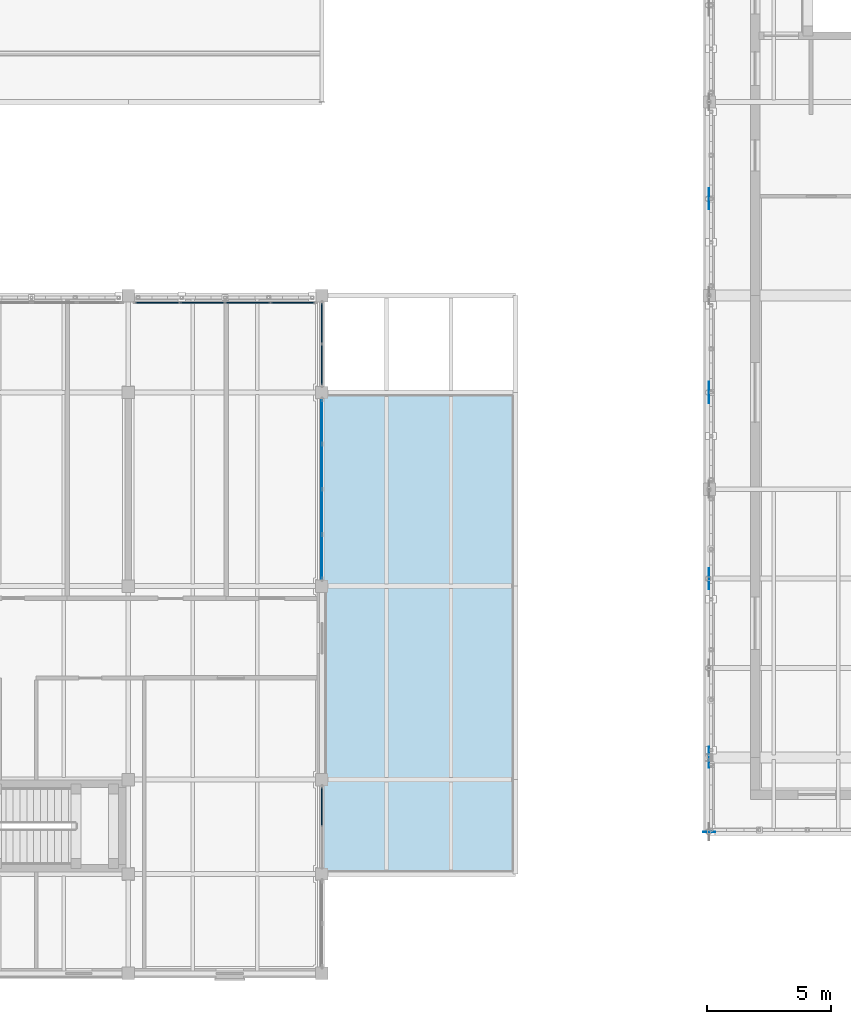
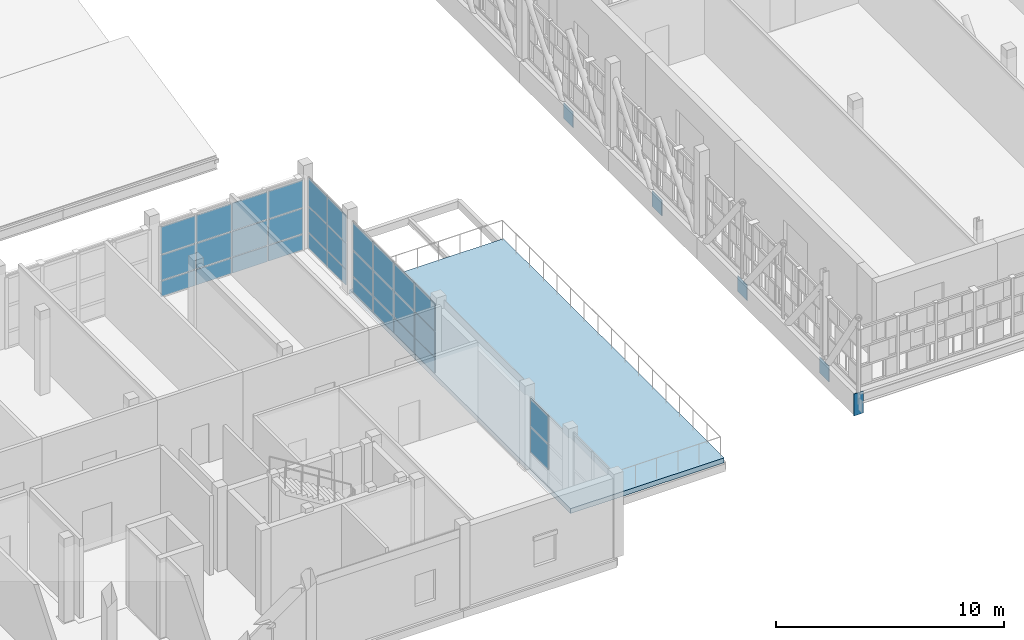
# One storey, part 45 of 89: 37 plates, 1 slab, 4 elements without a shape of their own.
"""IFC4 building model written with IfcOpenShell, lengths in metres."""

from ifc_helpers import new_model, si_unit, direction, frame, origin, origin_2d, place, context, subcontext, project, spatial, polyline, rectangle, outline, extrude, material, layer, layer_set, type_object, element, aggregate, save


model = new_model("IFC4")

# Units and contexts
model_context = context("Model", 3, precision=1e-05, world=origin(), true_north=direction((0.0, 1.0)))
body_context = subcontext(model_context, "Body", "Model", "MODEL_VIEW")
ifc_project = project(units=[si_unit("LENGTHUNIT", "METRE"), si_unit("AREAUNIT", "SQUARE_METRE"), si_unit("VOLUMEUNIT", "CUBIC_METRE"), si_unit("PLANEANGLEUNIT", "RADIAN"), si_unit("MASSUNIT", "GRAM", prefix="KILO")], contexts=[model_context])

# Site, building, storey
site_placement = place(None, origin())
site = spatial("IfcSite", under=ifc_project, at=site_placement, CompositionType="ELEMENT")
building_placement = place(site_placement, origin())
building = spatial("IfcBuilding", under=site, at=building_placement, Name="Celorna Specialist Clinic", CompositionType="ELEMENT")
storey_placement = place(building_placement, frame((0.0, 0.0, 14.10009765625)))
storey = spatial("IfcBuildingStorey", under=building, at=storey_placement, Name="L03", CompositionType="ELEMENT", Elevation=14.10009765625)

# Curtain wall, plates
ifc_material_1 = material(Name="Thermally broken aluminium and solar-control glass curtain wall", Category="aluminium")
ifc_layer_1 = layer(ifc_material_1, 0.159912109375, Name="Thermally broken aluminium and solar-control glass curtain wall")
ifc_layer_set_1 = layer_set([ifc_layer_1], Name="Thermally broken aluminium and solar-control glass curtain wall")
curtain_wall_type_1 = type_object("IfcCurtainWallType", Name="CW-100", PredefinedType="NOTDEFINED", material=ifc_layer_set_1)
curtain_wall_1_placement = place(storey_placement, origin())
curtain_wall_1 = element("IfcCurtainWall", 1, at=curtain_wall_1_placement, inside=storey, type_object=curtain_wall_type_1, Name="Curtain wall CW-100 #177", PredefinedType="NOTDEFINED")
ifc_material_2 = material(Name="Solar-control triple glazing", Category="glass")
ifc_layer_2 = layer(ifc_material_2, 0.035888671875, Name="Solar-control triple glazing")
ifc_layer_set_2 = layer_set([ifc_layer_2], Name="Solar-control triple glazing")
plate_type_1 = type_object("IfcPlateType", Name="CPN-02", PredefinedType="CURTAIN_PANEL", material=ifc_layer_set_2)
plate_1_placement = place(storey_placement, frame((39.0, 22.221923828125, 0.0498046875), z_axis=(0.0, 0.0, 1.0), x_axis=(0.0, -1.0, 0.0)))
plate_1 = element("IfcPlate", 2, at=plate_1_placement, type_object=plate_type_1, Name="CW-100 panel 1.1", PredefinedType="CURTAIN_PANEL", context=body_context, shape_type="SweptSolid", body=[
    extrude(rectangle(XDim=1.748046875, YDim=0.035888671875, at=origin_2d()), origin(), (0.0, 0.0, 1.0), 0.824951171875),
])
plate_2_placement = place(storey_placement, frame((39.0, 22.221923828125, 0.9248046875), z_axis=(0.0, 0.0, 1.0), x_axis=(0.0, -1.0, 0.0)))
plate_2 = element("IfcPlate", 3, at=plate_2_placement, type_object=plate_type_1, Name="CW-100 panel 1.2", PredefinedType="CURTAIN_PANEL", context=body_context, shape_type="SweptSolid", body=[
    extrude(rectangle(XDim=1.748046875, YDim=0.035888671875, at=origin_2d()), origin(), (0.0, 0.0, 1.0), 1.35009765625),
])
plate_3_placement = place(storey_placement, frame((39.0, 22.221923828125, 2.32470703125), z_axis=(0.0, 0.0, 1.0), x_axis=(0.0, -1.0, 0.0)))
plate_3 = element("IfcPlate", 4, at=plate_3_placement, type_object=plate_type_1, Name="CW-100 panel 1.3", PredefinedType="CURTAIN_PANEL", context=body_context, shape_type="SweptSolid", body=[
    extrude(rectangle(XDim=1.748046875, YDim=0.035888671875, at=origin_2d()), origin(), (0.0, 0.0, 1.0), 1.465087890625),
])
plate_4_placement = place(storey_placement, frame((39.0, 20.41162109375, 0.0498046875), z_axis=(0.0, 0.0, 1.0), x_axis=(0.0, -1.0, 0.0)))
plate_4 = element("IfcPlate", 5, at=plate_4_placement, type_object=plate_type_1, Name="CW-100 panel 2.1", PredefinedType="CURTAIN_PANEL", context=body_context, shape_type="SweptSolid", body=[
    extrude(rectangle(XDim=1.77294921875, YDim=0.035888671875, at=origin_2d()), origin(), (0.0, 0.0, 1.0), 0.824951171875),
])
plate_5_placement = place(storey_placement, frame((39.0, 20.41162109375, 0.9248046875), z_axis=(0.0, 0.0, 1.0), x_axis=(0.0, -1.0, 0.0)))
plate_5 = element("IfcPlate", 6, at=plate_5_placement, type_object=plate_type_1, Name="CW-100 panel 2.2", PredefinedType="CURTAIN_PANEL", context=body_context, shape_type="SweptSolid", body=[
    extrude(rectangle(XDim=1.77294921875, YDim=0.035888671875, at=origin_2d()), origin(), (0.0, 0.0, 1.0), 1.35009765625),
])
plate_6_placement = place(storey_placement, frame((39.0, 20.41162109375, 2.32470703125), z_axis=(0.0, 0.0, 1.0), x_axis=(0.0, -1.0, 0.0)))
plate_6 = element("IfcPlate", 7, at=plate_6_placement, type_object=plate_type_1, Name="CW-100 panel 2.3", PredefinedType="CURTAIN_PANEL", context=body_context, shape_type="SweptSolid", body=[
    extrude(rectangle(XDim=1.77294921875, YDim=0.035888671875, at=origin_2d()), origin(), (0.0, 0.0, 1.0), 1.465087890625),
])
plate_7_placement = place(storey_placement, frame((39.0, 18.58837890625, 0.0498046875), z_axis=(0.0, 0.0, 1.0), x_axis=(0.0, -1.0, 0.0)))
plate_7 = element("IfcPlate", 8, at=plate_7_placement, type_object=plate_type_1, Name="CW-100 panel 3.1", PredefinedType="CURTAIN_PANEL", context=body_context, shape_type="SweptSolid", body=[
    extrude(rectangle(XDim=1.77294921875, YDim=0.035888671875, at=origin_2d()), origin(), (0.0, 0.0, 1.0), 0.824951171875),
])
plate_8_placement = place(storey_placement, frame((39.0, 18.58837890625, 0.9248046875), z_axis=(0.0, 0.0, 1.0), x_axis=(0.0, -1.0, 0.0)))
plate_8 = element("IfcPlate", 9, at=plate_8_placement, type_object=plate_type_1, Name="CW-100 panel 3.2", PredefinedType="CURTAIN_PANEL", context=body_context, shape_type="SweptSolid", body=[
    extrude(rectangle(XDim=1.77294921875, YDim=0.035888671875, at=origin_2d()), origin(), (0.0, 0.0, 1.0), 1.35009765625),
])
plate_9_placement = place(storey_placement, frame((39.0, 18.58837890625, 2.32470703125), z_axis=(0.0, 0.0, 1.0), x_axis=(0.0, -1.0, 0.0)))
plate_9 = element("IfcPlate", 10, at=plate_9_placement, type_object=plate_type_1, Name="CW-100 panel 3.3", PredefinedType="CURTAIN_PANEL", context=body_context, shape_type="SweptSolid", body=[
    extrude(rectangle(XDim=1.77294921875, YDim=0.035888671875, at=origin_2d()), origin(), (0.0, 0.0, 1.0), 1.465087890625),
])
plate_10_placement = place(storey_placement, frame((39.0, 16.778076171875, 0.0498046875), z_axis=(0.0, 0.0, 1.0), x_axis=(0.0, -1.0, 0.0)))
plate_10 = element("IfcPlate", 11, at=plate_10_placement, type_object=plate_type_1, Name="CW-100 panel 4.1", PredefinedType="CURTAIN_PANEL", context=body_context, shape_type="SweptSolid", body=[
    extrude(rectangle(XDim=1.748046875, YDim=0.035888671875, at=origin_2d()), origin(), (0.0, 0.0, 1.0), 0.824951171875),
])
plate_11_placement = place(storey_placement, frame((39.0, 16.778076171875, 0.9248046875), z_axis=(0.0, 0.0, 1.0), x_axis=(0.0, -1.0, 0.0)))
plate_11 = element("IfcPlate", 12, at=plate_11_placement, type_object=plate_type_1, Name="CW-100 panel 4.2", PredefinedType="CURTAIN_PANEL", context=body_context, shape_type="SweptSolid", body=[
    extrude(rectangle(XDim=1.748046875, YDim=0.035888671875, at=origin_2d()), origin(), (0.0, 0.0, 1.0), 1.35009765625),
])
plate_12_placement = place(storey_placement, frame((39.0, 16.778076171875, 2.32470703125), z_axis=(0.0, 0.0, 1.0), x_axis=(0.0, -1.0, 0.0)))
plate_12 = element("IfcPlate", 13, at=plate_12_placement, type_object=plate_type_1, Name="CW-100 panel 4.3", PredefinedType="CURTAIN_PANEL", context=body_context, shape_type="SweptSolid", body=[
    extrude(rectangle(XDim=1.748046875, YDim=0.035888671875, at=origin_2d()), origin(), (0.0, 0.0, 1.0), 1.465087890625),
])
aggregate(curtain_wall_1, [plate_1, plate_2, plate_3, plate_4, plate_5, plate_6, plate_7, plate_8, plate_9, plate_10, plate_11, plate_12])

ifc_layer_3 = layer(ifc_material_1, 0.159912109375, Name="Thermally broken aluminium and solar-control glass curtain wall")
ifc_layer_set_3 = layer_set([ifc_layer_3], Name="Thermally broken aluminium and solar-control glass curtain wall")
curtain_wall_type_2 = type_object("IfcCurtainWallType", Name="CW-97", PredefinedType="NOTDEFINED", material=ifc_layer_set_3)
curtain_wall_2_placement = place(storey_placement, origin())
curtain_wall_2 = element("IfcCurtainWall", 14, at=curtain_wall_2_placement, inside=storey, type_object=curtain_wall_type_2, Name="Curtain wall CW-97 #174", PredefinedType="NOTDEFINED")
ifc_material_3 = material(Name="Glazed polychrome ceramic insulated spandrel")
ifc_layer_4 = layer(ifc_material_3, 0.0439453125, Name="Glazed polychrome ceramic insulated spandrel")
ifc_layer_set_4 = layer_set([ifc_layer_4], Name="Glazed polychrome ceramic insulated spandrel")
plate_type_2 = type_object("IfcPlateType", Name="CPN-03", PredefinedType="CURTAIN_PANEL", material=ifc_layer_set_4)
plate_13_placement = place(storey_placement, frame((32.3779296875, 27.02001953125, 0.0498046875), z_axis=(0.0, 0.0, 1.0), x_axis=(1.0, 0.0, 0.0)))
plate_13 = element("IfcPlate", 15, at=plate_13_placement, type_object=plate_type_2, Name="CW-97 panel 1.1", PredefinedType="CURTAIN_PANEL", context=body_context, shape_type="SweptSolid", body=[
    extrude(rectangle(XDim=1.748046875, YDim=0.0439453125, at=origin_2d()), origin(), (0.0, 0.0, 1.0), 0.824951171875),
])
plate_14_placement = place(storey_placement, frame((32.3779296875, 27.02001953125, 0.9248046875), z_axis=(0.0, 0.0, 1.0), x_axis=(1.0, 0.0, 0.0)))
plate_14 = element("IfcPlate", 16, at=plate_14_placement, type_object=plate_type_2, Name="CW-97 panel 1.2", PredefinedType="CURTAIN_PANEL", context=body_context, shape_type="SweptSolid", body=[
    extrude(rectangle(XDim=1.748046875, YDim=0.0439453125, at=origin_2d()), origin(), (0.0, 0.0, 1.0), 1.35009765625),
])
plate_15_placement = place(storey_placement, frame((32.3779296875, 27.02001953125, 2.32470703125), z_axis=(0.0, 0.0, 1.0), x_axis=(1.0, 0.0, 0.0)))
plate_15 = element("IfcPlate", 17, at=plate_15_placement, type_object=plate_type_2, Name="CW-97 panel 1.3", PredefinedType="CURTAIN_PANEL", context=body_context, shape_type="SweptSolid", body=[
    extrude(rectangle(XDim=1.748046875, YDim=0.0439453125, at=origin_2d()), origin(), (0.0, 0.0, 1.0), 1.465087890625),
])
plate_16_placement = place(storey_placement, frame((34.1884765625, 27.02001953125, 0.0498046875), z_axis=(0.0, 0.0, 1.0), x_axis=(1.0, 0.0, 0.0)))
plate_16 = element("IfcPlate", 18, at=plate_16_placement, type_object=plate_type_2, Name="CW-97 panel 2.1", PredefinedType="CURTAIN_PANEL", context=body_context, shape_type="SweptSolid", body=[
    extrude(rectangle(XDim=1.77294921875, YDim=0.0439453125, at=origin_2d()), origin(), (0.0, 0.0, 1.0), 0.824951171875),
])
plate_17_placement = place(storey_placement, frame((34.1884765625, 27.02001953125, 0.9248046875), z_axis=(0.0, 0.0, 1.0), x_axis=(1.0, 0.0, 0.0)))
plate_17 = element("IfcPlate", 19, at=plate_17_placement, type_object=plate_type_2, Name="CW-97 panel 2.2", PredefinedType="CURTAIN_PANEL", context=body_context, shape_type="SweptSolid", body=[
    extrude(rectangle(XDim=1.77294921875, YDim=0.0439453125, at=origin_2d()), origin(), (0.0, 0.0, 1.0), 1.35009765625),
])
plate_18_placement = place(storey_placement, frame((34.1884765625, 27.02001953125, 2.32470703125), z_axis=(0.0, 0.0, 1.0), x_axis=(1.0, 0.0, 0.0)))
plate_18 = element("IfcPlate", 20, at=plate_18_placement, type_object=plate_type_2, Name="CW-97 panel 2.3", PredefinedType="CURTAIN_PANEL", context=body_context, shape_type="SweptSolid", body=[
    extrude(rectangle(XDim=1.77294921875, YDim=0.0439453125, at=origin_2d()), origin(), (0.0, 0.0, 1.0), 1.465087890625),
])
plate_19_placement = place(storey_placement, frame((36.011474609375, 27.02001953125, 0.0498046875), z_axis=(0.0, 0.0, 1.0), x_axis=(1.0, 0.0, 0.0)))
plate_19 = element("IfcPlate", 21, at=plate_19_placement, type_object=plate_type_2, Name="CW-97 panel 3.1", PredefinedType="CURTAIN_PANEL", context=body_context, shape_type="SweptSolid", body=[
    extrude(rectangle(XDim=1.77294921875, YDim=0.0439453125, at=origin_2d()), origin(), (0.0, 0.0, 1.0), 0.824951171875),
])
plate_20_placement = place(storey_placement, frame((36.011474609375, 27.02001953125, 0.9248046875), z_axis=(0.0, 0.0, 1.0), x_axis=(1.0, 0.0, 0.0)))
plate_20 = element("IfcPlate", 22, at=plate_20_placement, type_object=plate_type_2, Name="CW-97 panel 3.2", PredefinedType="CURTAIN_PANEL", context=body_context, shape_type="SweptSolid", body=[
    extrude(rectangle(XDim=1.77294921875, YDim=0.0439453125, at=origin_2d()), origin(), (0.0, 0.0, 1.0), 1.35009765625),
])
plate_21_placement = place(storey_placement, frame((36.011474609375, 27.02001953125, 2.32470703125), z_axis=(0.0, 0.0, 1.0), x_axis=(1.0, 0.0, 0.0)))
plate_21 = element("IfcPlate", 23, at=plate_21_placement, type_object=plate_type_2, Name="CW-97 panel 3.3", PredefinedType="CURTAIN_PANEL", context=body_context, shape_type="SweptSolid", body=[
    extrude(rectangle(XDim=1.77294921875, YDim=0.0439453125, at=origin_2d()), origin(), (0.0, 0.0, 1.0), 1.465087890625),
])
plate_22_placement = place(storey_placement, frame((37.822021484375, 27.02001953125, 0.0498046875), z_axis=(0.0, 0.0, 1.0), x_axis=(1.0, 0.0, 0.0)))
plate_22 = element("IfcPlate", 24, at=plate_22_placement, type_object=plate_type_2, Name="CW-97 panel 4.1", PredefinedType="CURTAIN_PANEL", context=body_context, shape_type="SweptSolid", body=[
    extrude(rectangle(XDim=1.748046875, YDim=0.0439453125, at=origin_2d()), origin(), (0.0, 0.0, 1.0), 0.824951171875),
])
plate_23_placement = place(storey_placement, frame((37.822021484375, 27.02001953125, 0.9248046875), z_axis=(0.0, 0.0, 1.0), x_axis=(1.0, 0.0, 0.0)))
plate_23 = element("IfcPlate", 25, at=plate_23_placement, type_object=plate_type_2, Name="CW-97 panel 4.2", PredefinedType="CURTAIN_PANEL", context=body_context, shape_type="SweptSolid", body=[
    extrude(rectangle(XDim=1.748046875, YDim=0.0439453125, at=origin_2d()), origin(), (0.0, 0.0, 1.0), 1.35009765625),
])
plate_24_placement = place(storey_placement, frame((37.822021484375, 27.02001953125, 2.32470703125), z_axis=(0.0, 0.0, 1.0), x_axis=(1.0, 0.0, 0.0)))
plate_24 = element("IfcPlate", 26, at=plate_24_placement, type_object=plate_type_2, Name="CW-97 panel 4.3", PredefinedType="CURTAIN_PANEL", context=body_context, shape_type="SweptSolid", body=[
    extrude(rectangle(XDim=1.748046875, YDim=0.0439453125, at=origin_2d()), origin(), (0.0, 0.0, 1.0), 1.465087890625),
])
aggregate(curtain_wall_2, [plate_13, plate_14, plate_15, plate_16, plate_17, plate_18, plate_19, plate_20, plate_21, plate_22, plate_23, plate_24])

ifc_layer_5 = layer(ifc_material_1, 0.159912109375, Name="Thermally broken aluminium and solar-control glass curtain wall")
ifc_layer_set_5 = layer_set([ifc_layer_5], Name="Thermally broken aluminium and solar-control glass curtain wall")
curtain_wall_type_3 = type_object("IfcCurtainWallType", Name="CW-99", PredefinedType="NOTDEFINED", material=ifc_layer_set_5)
curtain_wall_3_placement = place(storey_placement, origin())
curtain_wall_3 = element("IfcCurtainWall", 27, at=curtain_wall_3_placement, inside=storey, type_object=curtain_wall_type_3, Name="Curtain wall CW-99 #176", PredefinedType="NOTDEFINED")
plate_25_placement = place(storey_placement, frame((39.0, 6.71044921875, 0.9248046875), z_axis=(0.0, 0.0, 1.0), x_axis=(0.0, -1.0, 0.0)))
plate_25 = element("IfcPlate", 28, at=plate_25_placement, type_object=plate_type_2, Name="CW-99 panel 1.2", PredefinedType="CURTAIN_PANEL", context=body_context, shape_type="SweptSolid", body=[
    extrude(rectangle(XDim=1.571044921875, YDim=0.0439453125, at=origin_2d()), origin(), (0.0, 0.0, 1.0), 1.35009765625),
])
plate_26_placement = place(storey_placement, frame((39.0, 6.71044921875, 2.32470703125), z_axis=(0.0, 0.0, 1.0), x_axis=(0.0, -1.0, 0.0)))
plate_26 = element("IfcPlate", 29, at=plate_26_placement, type_object=plate_type_2, Name="CW-99 panel 1.3", PredefinedType="CURTAIN_PANEL", context=body_context, shape_type="SweptSolid", body=[
    extrude(rectangle(XDim=1.571044921875, YDim=0.0439453125, at=origin_2d()), origin(), (0.0, 0.0, 1.0), 1.465087890625),
])
aggregate(curtain_wall_3, [plate_25, plate_26])

ifc_layer_6 = layer(ifc_material_1, 0.159912109375, Name="Thermally broken aluminium and solar-control glass curtain wall")
ifc_layer_set_6 = layer_set([ifc_layer_6], Name="Thermally broken aluminium and solar-control glass curtain wall")
curtain_wall_type_4 = type_object("IfcCurtainWallType", Name="CW-101", PredefinedType="NOTDEFINED", material=ifc_layer_set_6)
curtain_wall_4_placement = place(storey_placement, origin())
curtain_wall_4 = element("IfcCurtainWall", 30, at=curtain_wall_4_placement, inside=storey, type_object=curtain_wall_type_4, Name="Curtain wall CW-101 #178", PredefinedType="NOTDEFINED")
plate_27_placement = place(storey_placement, frame((39.0, 26.185546875, 0.0498046875), z_axis=(0.0, 0.0, 1.0), x_axis=(0.0, -1.0, 0.0)))
plate_27 = element("IfcPlate", 31, at=plate_27_placement, type_object=plate_type_2, Name="CW-101 panel 1.1", PredefinedType="CURTAIN_PANEL", context=body_context, shape_type="SweptSolid", body=[
    extrude(rectangle(XDim=1.62109375, YDim=0.0439453125, at=origin_2d()), origin(), (0.0, 0.0, 1.0), 0.824951171875),
])
plate_28_placement = place(storey_placement, frame((39.0, 26.185546875, 0.9248046875), z_axis=(0.0, 0.0, 1.0), x_axis=(0.0, -1.0, 0.0)))
plate_28 = element("IfcPlate", 32, at=plate_28_placement, type_object=plate_type_2, Name="CW-101 panel 1.2", PredefinedType="CURTAIN_PANEL", context=body_context, shape_type="SweptSolid", body=[
    extrude(rectangle(XDim=1.62109375, YDim=0.0439453125, at=origin_2d()), origin(), (0.0, 0.0, 1.0), 1.35009765625),
])
plate_29_placement = place(storey_placement, frame((39.0, 26.185546875, 2.32470703125), z_axis=(0.0, 0.0, 1.0), x_axis=(0.0, -1.0, 0.0)))
plate_29 = element("IfcPlate", 33, at=plate_29_placement, type_object=plate_type_2, Name="CW-101 panel 1.3", PredefinedType="CURTAIN_PANEL", context=body_context, shape_type="SweptSolid", body=[
    extrude(rectangle(XDim=1.62109375, YDim=0.0439453125, at=origin_2d()), origin(), (0.0, 0.0, 1.0), 1.465087890625),
])
plate_30_placement = place(storey_placement, frame((39.0, 24.514404296875, 0.0498046875), z_axis=(0.0, 0.0, 1.0), x_axis=(0.0, -1.0, 0.0)))
plate_30 = element("IfcPlate", 34, at=plate_30_placement, type_object=plate_type_2, Name="CW-101 panel 2.1", PredefinedType="CURTAIN_PANEL", context=body_context, shape_type="SweptSolid", body=[
    extrude(rectangle(XDim=1.62109375, YDim=0.0439453125, at=origin_2d()), origin(), (0.0, 0.0, 1.0), 0.824951171875),
])
plate_31_placement = place(storey_placement, frame((39.0, 24.514404296875, 0.9248046875), z_axis=(0.0, 0.0, 1.0), x_axis=(0.0, -1.0, 0.0)))
plate_31 = element("IfcPlate", 35, at=plate_31_placement, type_object=plate_type_2, Name="CW-101 panel 2.2", PredefinedType="CURTAIN_PANEL", context=body_context, shape_type="SweptSolid", body=[
    extrude(rectangle(XDim=1.62109375, YDim=0.0439453125, at=origin_2d()), origin(), (0.0, 0.0, 1.0), 1.35009765625),
])
plate_32_placement = place(storey_placement, frame((39.0, 24.514404296875, 2.32470703125), z_axis=(0.0, 0.0, 1.0), x_axis=(0.0, -1.0, 0.0)))
plate_32 = element("IfcPlate", 36, at=plate_32_placement, type_object=plate_type_2, Name="CW-101 panel 2.3", PredefinedType="CURTAIN_PANEL", context=body_context, shape_type="SweptSolid", body=[
    extrude(rectangle(XDim=1.62109375, YDim=0.0439453125, at=origin_2d()), origin(), (0.0, 0.0, 1.0), 1.465087890625),
])
aggregate(curtain_wall_4, [plate_27, plate_28, plate_29, plate_30, plate_31, plate_32])

# Plates
ifc_material_4 = material(Name="Steel S355", Category="steel")
ifc_layer_7 = layer(ifc_material_4, 0.02490234375, Name="Steel S355")
ifc_layer_set_7 = layer_set([ifc_layer_7], Name="Steel S355")
plate_type_3 = type_object("IfcPlateType", Name="EP-01", PredefinedType="SHEET", material=ifc_layer_set_7)
plate_33_placement = place(storey_placement, frame((54.60009765625, 5.699951171875, -1.42529296875), z_axis=(0.0, 0.0, 1.0), x_axis=(1.0, 0.0, 0.0)))
element("IfcPlate", 37, at=plate_33_placement, inside=storey, type_object=plate_type_3, Name="Truss chord end cap plate EP-01 #3", PredefinedType="SHEET", context=body_context, shape_type="SweptSolid", body=[
    extrude(rectangle(XDim=0.47998046875, YDim=0.02490234375, at=origin_2d()), origin(), (0.0, 0.0, 1.0), 1.179931640625),
])
ifc_layer_8 = layer(ifc_material_4, 0.028076171875, Name="Steel S355")
ifc_layer_set_8 = layer_set([ifc_layer_8], Name="Steel S355")
plate_type_4 = type_object("IfcPlateType", Name="GP-01", PredefinedType="USERDEFINED", material=ifc_layer_set_8)
for number, where, z_axis, x_axis, name in (
    (38, (54.60009765625, 8.699951171875, -1.26025390625), (0.0, 0.0, 1.0), (0.0, 1.0, 0.0), "Truss node gusset plate TN-018"),
    (39, (54.60009765625, 15.89990234375, -1.26025390625), (0.0, 0.0, 1.0), (0.0, 1.0, 0.0), "Truss node gusset plate TN-020"),
    (40, (54.60009765625, 23.39990234375, -1.26025390625), (0.0, 0.0, 1.0), (0.0, 1.0, 0.0), "Truss node gusset plate TN-022"),
    (41, (54.60009765625, 31.199951171875, -1.26025390625), (0.0, 0.0, 1.0), (0.0, 1.0, 0.0), "Truss node gusset plate TN-024"),
):
    element("IfcPlate", number, at=place(storey_placement, frame(where, z_axis=z_axis, x_axis=x_axis)), inside=storey, type_object=plate_type_4, Name=name, ObjectType="GUSSET PLATE", PredefinedType="USERDEFINED", context=body_context, shape_type="SweptSolid", body=[
        extrude(rectangle(XDim=0.85009765625, YDim=0.028076171875, at=origin_2d()), origin(), (0.0, 0.0, 1.0), 0.85009765625),
    ])

# Slab
ifc_material_5 = material(Name="Concrete C35/45", Category="concrete")
ifc_layer_9 = layer(ifc_material_5, 0.260009765625, Name="Concrete C35/45")
ifc_layer_set_9 = layer_set([ifc_layer_9], Name="Concrete C35/45")
slab_type = type_object("IfcSlabType", Name="SL-07", PredefinedType="FLOOR", material=ifc_layer_set_9)
slab_placement = place(storey_placement, frame((0.0, 0.0, -0.260009765625)))
element("IfcSlab", 42, at=slab_placement, inside=storey, type_object=slab_type, Name="Endoscopy Recovery Terrace", PredefinedType="FLOOR", context=body_context, shape_type="SweptSolid", body=[
    extrude(outline(polyline([(39.0, 4.0), (46.800048828125, 4.0), (46.800048828125, 23.39990234375), (39.0, 23.39990234375), (39.0, 4.0)])), origin(), (0.0, 0.0, 1.0), 0.260009765625),
])

save(model, "model.ifc")
